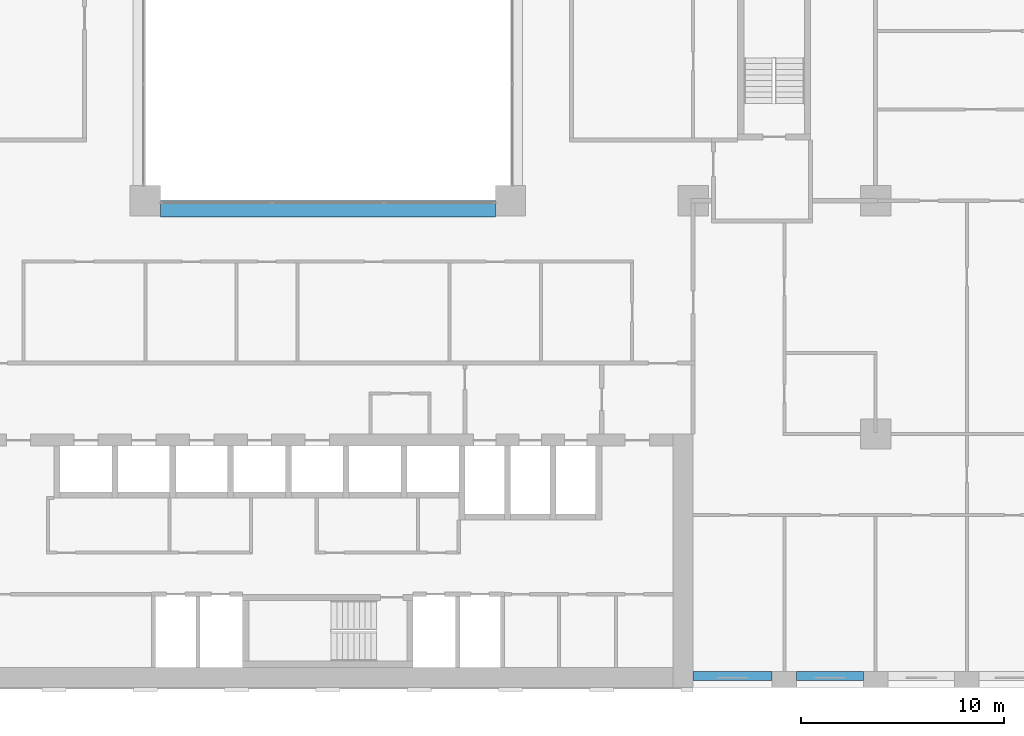
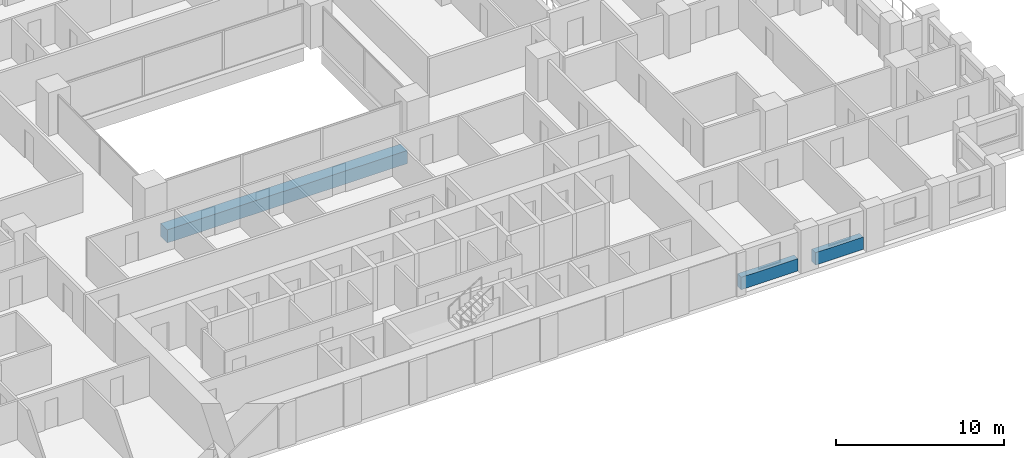
# One storey, part 3 of 20: 3 beams.
"""IFC4 building model written with IfcOpenShell, lengths in metres."""

from ifc_helpers import new_model, si_unit, direction, frame, origin, origin_2d, place, context, subcontext, project, spatial, rectangle, extrude, material, material_profile, profile_set, type_object, element, save


model = new_model("IFC4")

# Units and contexts
model_context = context("Model", 3, precision=1e-05, world=origin(), true_north=direction((0.0, 1.0)))
body_context = subcontext(model_context, "Body", "Model", "MODEL_VIEW")
ifc_project = project(units=[si_unit("LENGTHUNIT", "METRE"), si_unit("AREAUNIT", "SQUARE_METRE"), si_unit("VOLUMEUNIT", "CUBIC_METRE"), si_unit("PLANEANGLEUNIT", "RADIAN"), si_unit("MASSUNIT", "GRAM", prefix="KILO")], contexts=[model_context])

# Site, building, storey
site_placement = place(None, origin())
site = spatial("IfcSite", under=ifc_project, at=site_placement, CompositionType="ELEMENT")
building_placement = place(site_placement, origin())
building = spatial("IfcBuilding", under=site, at=building_placement, Name="Brigalow Station Residences", CompositionType="ELEMENT")
storey_placement = place(building_placement, frame((0.0, 0.0, 60.449951171875)))
storey = spatial("IfcBuildingStorey", under=building, at=storey_placement, Name="L17", CompositionType="ELEMENT", Elevation=60.449951171875)

# Beams
ifc_material_1 = material(Name="Concrete C65", Category="concrete")
ifc_material_profile_1 = material_profile(ifc_material_1, rectangle(XDim=0.800048828125, YDim=0.949951171875, at=origin_2d()), Name="RC800x950")
ifc_profile_set_1 = profile_set([ifc_material_profile_1], Name="Concrete C65")
beam_type_1 = type_object("IfcBeamType", Name="ATRIUM EDGE GIRDER OVER 13.5 M SPAN 800x950 C65", PredefinedType="BEAM", material=ifc_profile_set_1)
beam_1_placement = place(storey_placement, frame((27.75, 23.60009765625, -0.794921875), z_axis=(1.0, 0.0, 0.0), x_axis=(0.0, 1.0, 0.0)))
element("IfcBeam", 1, at=beam_1_placement, inside=storey, type_object=beam_type_1, Name="ATRIUM EDGE GIRDER C L17", PredefinedType="BEAM", context=body_context, shape_type="SweptSolid", body=[
    extrude(rectangle(XDim=0.800048828125, YDim=0.949951171875, at=origin_2d()), origin(), (0.0, 0.0, 1.0), 16.5),
])
ifc_material_2 = material(Name="Concrete C65", Category="concrete")
ifc_material_profile_2 = material_profile(ifc_material_2, rectangle(XDim=0.449951171875, YDim=0.89990234375, at=origin_2d()), Name="RC450x900")
ifc_profile_set_2 = profile_set([ifc_material_profile_2], Name="Concrete C65")
beam_type_2 = type_object("IfcBeamType", Name="SPANDREL BEAM 450x900 C65", PredefinedType="SPANDREL", material=ifc_profile_set_2)
beam_2_placement = place(storey_placement, frame((54.0, 0.574951171875, 0.449951171875), z_axis=(1.0, 0.0, 0.0), x_axis=(0.0, 1.0, 0.0)))
element("IfcBeam", 2, at=beam_2_placement, inside=storey, type_object=beam_type_2, Name="L17/spandrel/W-L17-5", PredefinedType="SPANDREL", context=body_context, shape_type="SweptSolid", body=[
    extrude(rectangle(XDim=0.449951171875, YDim=0.89990234375, at=origin_2d()), origin(), (0.0, 0.0, 1.0), 3.89990234375),
])
beam_3_placement = place(storey_placement, frame((59.10009765625, 0.574951171875, 0.449951171875), z_axis=(1.0, 0.0, 0.0), x_axis=(0.0, 1.0, 0.0)))
element("IfcBeam", 3, at=beam_3_placement, inside=storey, type_object=beam_type_2, Name="L17/spandrel/W-L17-6", PredefinedType="SPANDREL", context=body_context, shape_type="SweptSolid", body=[
    extrude(rectangle(XDim=0.449951171875, YDim=0.89990234375, at=origin_2d()), origin(), (0.0, 0.0, 1.0), 3.2998046875),
])

save(model, "model.ifc")
